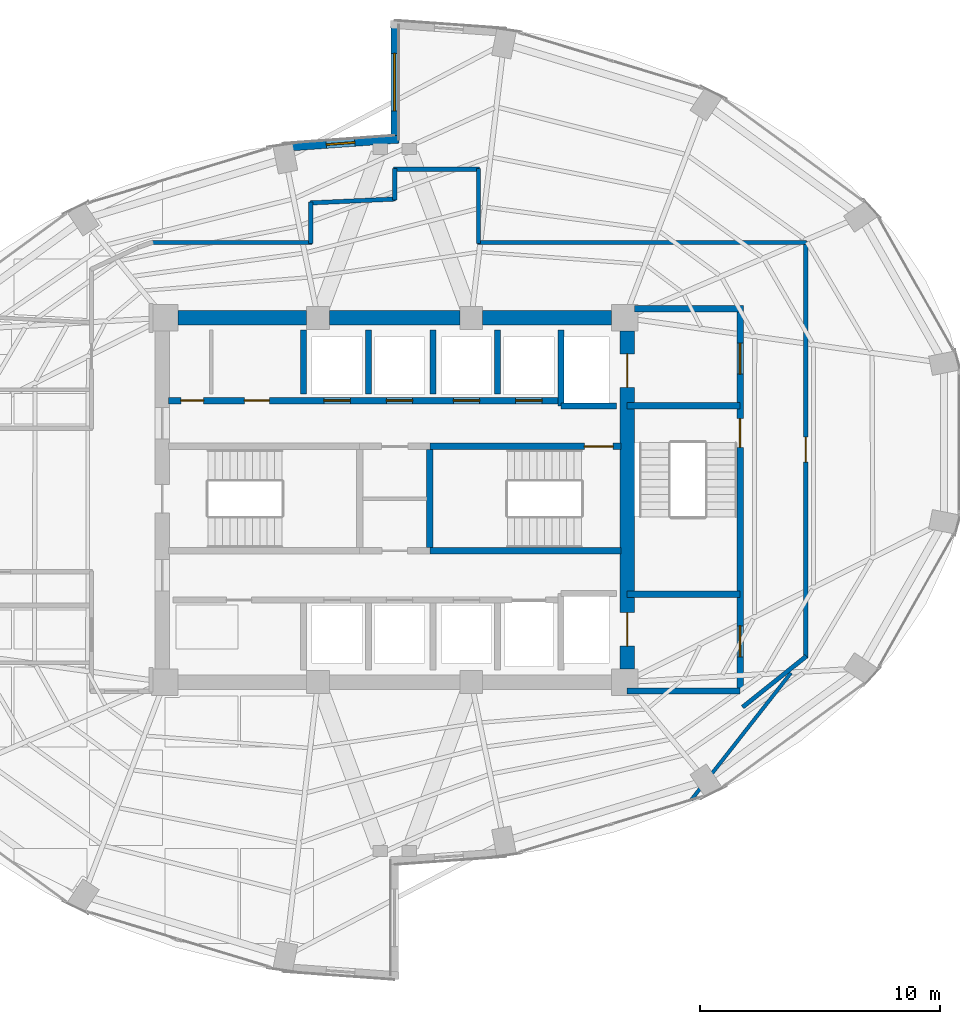
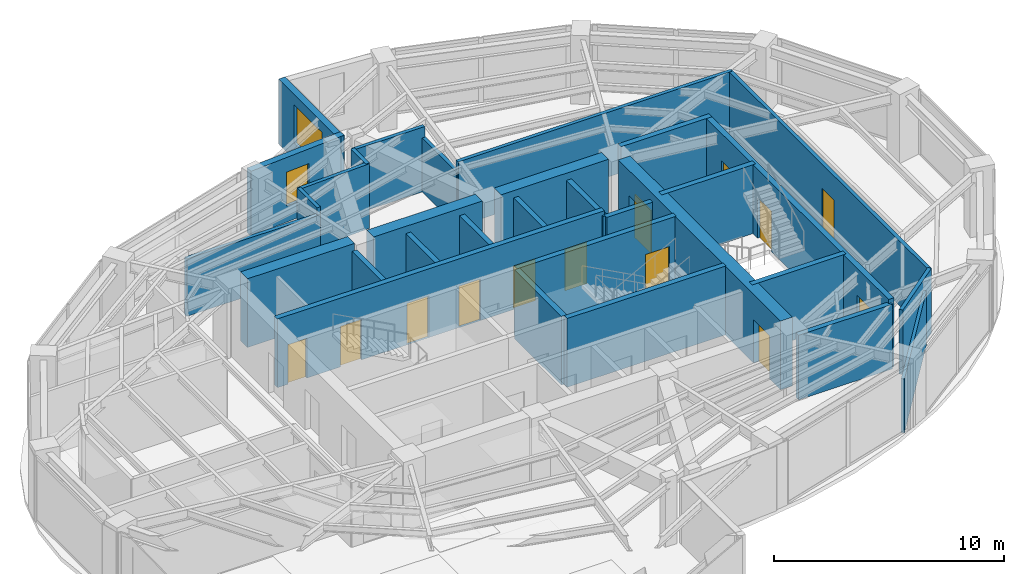
# One storey, part 17 of 20: 31 walls, 13 doors, 2 windows, 15 openings.
"""IFC4 building model written with IfcOpenShell, lengths in metres."""

from ifc_helpers import new_model, si_unit, direction, frame, frame_2d, origin, place, context, subcontext, project, spatial, rectangle, extrude, material, layer, layer_set, type_object, element, fill, save


model = new_model("IFC4")

# Units and contexts
model_context = context("Model", 3, precision=1e-05, world=origin(), true_north=direction((0.0, 1.0)))
body_context = subcontext(model_context, "Body", "Model", "MODEL_VIEW")
ifc_project = project(units=[si_unit("LENGTHUNIT", "METRE"), si_unit("AREAUNIT", "SQUARE_METRE"), si_unit("VOLUMEUNIT", "CUBIC_METRE"), si_unit("PLANEANGLEUNIT", "RADIAN"), si_unit("MASSUNIT", "GRAM", prefix="KILO")], contexts=[model_context])

# Site, building, storey
site_placement = place(None, origin())
site = spatial("IfcSite", under=ifc_project, at=site_placement, CompositionType="ELEMENT")
building_placement = place(site_placement, origin())
building = spatial("IfcBuilding", under=site, at=building_placement, Name="Lazwardi Medical Tower", CompositionType="ELEMENT")
storey_placement = place(building_placement, frame((0.0, 0.0, 178.416015625)))
storey = spatial("IfcBuildingStorey", under=building, at=storey_placement, Name="L46", CompositionType="ELEMENT", Elevation=178.416015625)

# Walls
ifc_material_1 = material(Name="Fire-rated gypsum board on steel stud", Category="steel")
ifc_layer_1 = layer(ifc_material_1, 0.179931640625)
ifc_layer_set_1 = layer_set([ifc_layer_1], Name="Fire-rated gypsum board on steel stud")
wall_type_1 = type_object("IfcWallType", Name="WL-COR-180", PredefinedType="PARTITIONING", material=ifc_layer_set_1)
wall_1_placement = place(storey_placement, frame((25.842529296875, 38.75, 0.0), z_axis=(0.0, 0.0, 1.0), x_axis=(1.0, 0.0, 0.0)))
element("IfcWall", 1, at=wall_1_placement, inside=storey, type_object=wall_type_1, Name="L46 Corridor partition 6", PredefinedType="PARTITIONING", context=body_context, shape_type="SweptSolid", body=[
    extrude(rectangle(XDim=6.697509765625, YDim=0.179931640625, at=frame_2d((3.3486328125, 0.0))), origin(), (0.0, 0.0, 1.0), 3.052978515625),
])
wall_2_placement = place(storey_placement, frame((32.5, 38.7099609375, 0.0), z_axis=(0.0, 0.0, 1.0), x_axis=(0.0, 1.0, 0.0)))
element("IfcWall", 2, at=wall_2_placement, inside=storey, type_object=wall_type_1, Name="L46 Corridor partition 7", PredefinedType="PARTITIONING", context=body_context, shape_type="SweptSolid", body=[
    extrude(rectangle(XDim=1.729248046875, YDim=0.179931640625, at=frame_2d((0.86474609375, 0.0))), origin(), (0.0, 0.0, 1.0), 3.427978515625),
])
wall_3_placement = place(storey_placement, frame((32.4599609375, 40.3974609375, 0.0), z_axis=(0.0, 0.0, 1.0), x_axis=(0.998948498694, 0.045846449783, 0.0)))
element("IfcWall", 3, at=wall_3_placement, inside=storey, type_object=wall_type_1, Name="L46 Corridor partition 8", PredefinedType="PARTITIONING", context=body_context, shape_type="SweptSolid", body=[
    extrude(rectangle(XDim=3.583740234375, YDim=0.179931640625, at=frame_2d((1.7919921875, 0.0))), origin(), (0.0, 0.0, 1.0), 3.427978515625),
])
wall_4_placement = place(storey_placement, frame((36.0, 40.52001953125, 0.0), z_axis=(0.0, 0.0, 1.0), x_axis=(0.0, 1.0, 0.0)))
element("IfcWall", 4, at=wall_4_placement, inside=storey, type_object=wall_type_1, Name="L46 Corridor partition 9", PredefinedType="PARTITIONING", context=body_context, shape_type="SweptSolid", body=[
    extrude(rectangle(XDim=1.320068359375, YDim=0.179931640625, at=frame_2d((0.66015625, 0.0))), origin(), (0.0, 0.0, 1.0), 3.427978515625),
])
wall_5_placement = place(storey_placement, frame((35.9599609375, 41.800048828125, 0.0), z_axis=(0.0, 0.0, 1.0), x_axis=(1.0, 0.0, 0.0)))
element("IfcWall", 5, at=wall_5_placement, inside=storey, type_object=wall_type_1, Name="L46 Corridor partition 10", PredefinedType="PARTITIONING", context=body_context, shape_type="SweptSolid", body=[
    extrude(rectangle(XDim=3.580078125, YDim=0.179931640625, at=frame_2d((1.7900390625, 0.0))), origin(), (0.0, 0.0, 1.0), 3.427978515625),
])
wall_6_placement = place(storey_placement, frame((39.5, 41.840087890625, 0.0), z_axis=(0.0, 0.0, 1.0), x_axis=(0.0, -1.0, 0.0)))
element("IfcWall", 6, at=wall_6_placement, inside=storey, type_object=wall_type_1, Name="L46 Corridor partition 11", PredefinedType="PARTITIONING", context=body_context, shape_type="SweptSolid", body=[
    extrude(rectangle(XDim=3.130126953125, YDim=0.179931640625, at=frame_2d((1.56494140625, 0.0))), origin(), (0.0, 0.0, 1.0), 2.863037109375),
])
wall_7_placement = place(storey_placement, frame((39.4599609375, 38.75, 0.0), z_axis=(0.0, 0.0, 1.0), x_axis=(1.0, 0.0, 0.0)))
element("IfcWall", 7, at=wall_7_placement, inside=storey, type_object=wall_type_1, Name="L46 Corridor partition 12", PredefinedType="PARTITIONING", context=body_context, shape_type="SweptSolid", body=[
    extrude(rectangle(XDim=13.72998046875, YDim=0.179931640625, at=frame_2d((6.864990234375, 0.0))), origin(), (0.0, 0.0, 1.0), 3.427978515625),
])

# Wall, opening, door
wall_8_placement = place(storey_placement, frame((53.14990234375, 38.7900390625, 0.0), z_axis=(0.0, 0.0, 1.0), x_axis=(0.0, -1.0, 0.0)))
wall_8 = element("IfcWall", 8, at=wall_8_placement, inside=storey, type_object=wall_type_1, Name="L46 Corridor partition 13", PredefinedType="PARTITIONING", context=body_context, shape_type="SweptSolid", body=[
    extrude(rectangle(XDim=17.374267578125, YDim=0.179931640625, at=frame_2d((8.68701171875, 0.0))), origin(), (0.0, 0.0, 1.0), 3.427978515625),
])
opening_1_placement = place(wall_8_placement, frame((8.162109375, 0.0, 0.0)))
opening_1 = element("IfcOpeningElement", 9, at=opening_1_placement, cuts=wall_8, Name="Opening D-L46-012", PredefinedType="OPENING", context=body_context, shape_type="SweptSolid", body=[
    extrude(rectangle(XDim=1.050048828125, YDim=2.14990234375, at=frame_2d((0.52490234375, 1.074951171875))), frame((0.0, 0.099853515625, 0.0), z_axis=(0.0, -1.0, 0.0), x_axis=(1.0, 0.0, 0.0)), (0.0, 0.0, 1.0), 0.199951171875),
])
ifc_material_2 = material(Name="Anti-microbial laminate hospital leaf")
door_type_1 = type_object("IfcDoorType", Name="DR-CLN-1050", OperationType="NOTDEFINED", PredefinedType="DOOR", material=ifc_material_2)
door_1_placement = place(opening_1_placement, origin())
door_1 = element("IfcDoor", 10, at=door_1_placement, inside=storey, type_object=door_type_1, Name="L46 Outpatient Consultation Suite Door 03", OperationType="SINGLE_SWING_RIGHT", OverallHeight=2.14990234375, OverallWidth=1.050048828125, PredefinedType="DOOR", context=body_context, shape_type="SweptSolid", body=[
    extrude(rectangle(XDim=1.050048828125, YDim=2.14990234375, at=frame_2d((0.52490234375, 1.074951171875))), frame((0.0, 0.02490234375, 0.0), z_axis=(0.0, -1.0, 0.0), x_axis=(1.0, 0.0, 0.0)), (0.0, 0.0, 1.0), 0.050048828125),
])
fill(opening_1, door_1)

# Wall
wall_9_placement = place(storey_placement, frame((53.181396484375, 21.480712890625, 0.0), z_axis=(0.0, 0.0, 1.0), x_axis=(-0.781420737726, -0.624004511724, 0.0)))
element("IfcWall", 11, at=wall_9_placement, inside=storey, type_object=wall_type_1, Name="L46 Corridor partition 14", PredefinedType="PARTITIONING", context=body_context, shape_type="SweptSolid", body=[
    extrude(rectangle(XDim=3.407470703125, YDim=0.179931640625, at=frame_2d((1.70361328125, 0.0))), origin(), (0.0, 0.0, 1.0), 3.427978515625),
])

# Wall, openings, doors
ifc_material_3 = material(Name="Concrete C60/75", Category="concrete")
ifc_layer_2 = layer(ifc_material_3, 0.60009765625)
ifc_layer_set_2 = layer_set([ifc_layer_2], Name="Concrete C60/75")
wall_type_2 = type_object("IfcWallType", Name="WL-CORE-600", PredefinedType="SHEAR", material=ifc_layer_set_2)
wall_10_placement = place(storey_placement, frame((45.699951171875, 20.949951171875, 0.0), z_axis=(0.0, 0.0, 1.0), x_axis=(0.0, 1.0, 0.0)))
wall_10 = element("IfcWall", 12, at=wall_10_placement, inside=storey, type_object=wall_type_2, Name="Core wall CW-S3 east L46", PredefinedType="SHEAR", context=body_context, shape_type="SweptSolid", body=[
    extrude(rectangle(XDim=14.10009765625, YDim=0.60009765625, at=frame_2d((7.050048828125, 0.0))), origin(), (0.0, 0.0, 1.0), 3.64794921875),
])
opening_2_placement = place(wall_10_placement, frame((11.75, 0.0, 0.0)))
opening_2 = element("IfcOpeningElement", 13, at=opening_2_placement, cuts=wall_10, Name="Opening LD-L46-001", PredefinedType="OPENING", context=body_context, shape_type="SweptSolid", body=[
    extrude(rectangle(XDim=1.39990234375, YDim=2.300048828125, at=frame_2d((0.699951171875, 1.14990234375))), frame((0.0, 0.31005859375, 0.0), z_axis=(0.0, -1.0, 0.0), x_axis=(1.0, 0.0, 0.0)), (0.0, 0.0, 1.0), 0.6201171875),
])
opening_3_placement = place(wall_10_placement, frame((0.949951171875, 0.0, 0.0)))
opening_3 = element("IfcOpeningElement", 14, at=opening_3_placement, cuts=wall_10, Name="Opening LD-L46-002", PredefinedType="OPENING", context=body_context, shape_type="SweptSolid", body=[
    extrude(rectangle(XDim=1.39990234375, YDim=2.300048828125, at=frame_2d((0.699951171875, 1.14990234375))), frame((0.0, 0.31005859375, 0.0), z_axis=(0.0, -1.0, 0.0), x_axis=(1.0, 0.0, 0.0)), (0.0, 0.0, 1.0), 0.6201171875),
])
ifc_material_4 = material(Name="Brushed stainless steel bed-lift landing door", Category="steel")
door_type_2 = type_object("IfcDoorType", Name="DR-LFT-1400", OperationType="NOTDEFINED", PredefinedType="DOOR", material=ifc_material_4)
door_2_placement = place(opening_2_placement, origin())
door_2 = element("IfcDoor", 15, at=door_2_placement, inside=storey, type_object=door_type_2, Name="L46 Lift Landing Door FL-01", OperationType="SLIDING_TO_LEFT", OverallHeight=2.300048828125, OverallWidth=1.39990234375, PredefinedType="DOOR", context=body_context, shape_type="SweptSolid", body=[
    extrude(rectangle(XDim=1.39990234375, YDim=2.300048828125, at=frame_2d((0.699951171875, 1.14990234375))), frame((0.0, 0.02490234375, 0.0), z_axis=(0.0, -1.0, 0.0), x_axis=(1.0, 0.0, 0.0)), (0.0, 0.0, 1.0), 0.050048828125),
])
fill(opening_2, door_2)
door_3_placement = place(opening_3_placement, origin())
door_3 = element("IfcDoor", 16, at=door_3_placement, inside=storey, type_object=door_type_2, Name="L46 Lift Landing Door FL-02", OperationType="SLIDING_TO_LEFT", OverallHeight=2.300048828125, OverallWidth=1.39990234375, PredefinedType="DOOR", context=body_context, shape_type="SweptSolid", body=[
    extrude(rectangle(XDim=1.39990234375, YDim=2.300048828125, at=frame_2d((0.699951171875, 1.14990234375))), frame((0.0, 0.02490234375, 0.0), z_axis=(0.0, -1.0, 0.0), x_axis=(1.0, 0.0, 0.0)), (0.0, 0.0, 1.0), 0.050048828125),
])
fill(opening_3, door_3)

# Walls
wall_11_placement = place(storey_placement, frame((26.949951171875, 35.60009765625, 0.0), z_axis=(0.0, 0.0, 1.0), x_axis=(1.0, 0.0, 0.0)))
element("IfcWall", 17, at=wall_11_placement, inside=storey, type_object=wall_type_2, Name="Core wall CW-S3 N1 L46", PredefinedType="SHEAR", context=body_context, shape_type="SweptSolid", body=[
    extrude(rectangle(XDim=5.375, YDim=0.60009765625, at=frame_2d((2.6875, 0.0))), origin(), (0.0, 0.0, 1.0), 3.64794921875),
])
wall_12_placement = place(storey_placement, frame((33.27490234375, 35.60009765625, 0.0), z_axis=(0.0, 0.0, 1.0), x_axis=(1.0, 0.0, 0.0)))
element("IfcWall", 18, at=wall_12_placement, inside=storey, type_object=wall_type_2, Name="Core wall CW-S3 N2 L46", PredefinedType="SHEAR", context=body_context, shape_type="SweptSolid", body=[
    extrude(rectangle(XDim=5.4501953125, YDim=0.60009765625, at=frame_2d((2.72509765625, 0.0))), origin(), (0.0, 0.0, 1.0), 3.64794921875),
])
wall_13_placement = place(storey_placement, frame((39.675048828125, 35.60009765625, 0.0), z_axis=(0.0, 0.0, 1.0), x_axis=(1.0, 0.0, 0.0)))
element("IfcWall", 19, at=wall_13_placement, inside=storey, type_object=wall_type_2, Name="Core wall CW-S3 N3 L46", PredefinedType="SHEAR", context=body_context, shape_type="SweptSolid", body=[
    extrude(rectangle(XDim=5.375, YDim=0.60009765625, at=frame_2d((2.6875, 0.0))), origin(), (0.0, 0.0, 1.0), 3.64794921875),
])

# Wall, opening, window
ifc_material_5 = material(Name="Precast concrete C45/55", Category="concrete")
ifc_layer_3 = layer(ifc_material_5, 0.320068359375)
ifc_layer_set_3 = layer_set([ifc_layer_3], Name="Precast concrete C45/55")
wall_type_3 = type_object("IfcWallType", Name="WL-IWAN-320", PredefinedType="SOLIDWALL", material=ifc_layer_set_3)
wall_14_placement = place(storey_placement, frame((36.17919921875, 43.052978515625, 0.0), z_axis=(0.0, 0.0, 1.0), x_axis=(-0.997415202861, -0.071853413984, 0.0)))
wall_14 = element("IfcWall", 20, at=wall_14_placement, inside=storey, type_object=wall_type_3, Name="L46 Iwan Portal Return Wall NW_ret", PredefinedType="SOLIDWALL", context=body_context, shape_type="SweptSolid", body=[
    extrude(rectangle(XDim=4.892822265625, YDim=0.320068359375, at=frame_2d((2.4462890625, 0.0))), origin(), (0.0, 0.0, 1.0), 3.427978515625),
])
opening_4_placement = place(wall_14_placement, frame((1.84619140625, 0.0, 0.85009765625)))
opening_4 = element("IfcOpeningElement", 21, at=opening_4_placement, cuts=wall_14, Name="Opening WN-04", PredefinedType="OPENING", context=body_context, shape_type="SweptSolid", body=[
    extrude(rectangle(XDim=1.199951171875, YDim=1.800048828125, at=frame_2d((0.60009765625, 0.89990234375))), frame((0.0, 0.169921875, 0.0), z_axis=(0.0, -1.0, 0.0), x_axis=(1.0, 0.0, 0.0)), (0.0, 0.0, 1.0), 0.340087890625),
])
ifc_material_6 = material(Name="Low-e bronze solar control double glazing", Category="glass")
window_type_1 = type_object("IfcWindowType", Name="WIN-DRUM-1200", PartitioningType="SINGLE_PANEL", PredefinedType="WINDOW", material=ifc_material_6)
window_1_placement = place(opening_4_placement, origin())
window_1 = element("IfcWindow", 22, at=window_1_placement, inside=storey, type_object=window_type_1, Name="L46 Iwan Slot Window NW_ret", OverallHeight=1.800048828125, OverallWidth=1.199951171875, PartitioningType="SINGLE_PANEL", PredefinedType="WINDOW", context=body_context, shape_type="SweptSolid", body=[
    extrude(rectangle(XDim=1.199951171875, YDim=1.800048828125, at=frame_2d((0.60009765625, 0.89990234375))), frame((0.0, 0.030029296875, 0.0), z_axis=(0.0, -1.0, 0.0), x_axis=(1.0, 0.0, 0.0)), (0.0, 0.0, 1.0), 0.06005859375),
])
fill(opening_4, window_1)

wall_15_placement = place(storey_placement, frame((36.0, 48.0, 0.0), z_axis=(0.0, 0.0, 1.0), x_axis=(0.0, -1.0, 0.0)))
wall_15 = element("IfcWall", 23, at=wall_15_placement, inside=storey, type_object=wall_type_3, Name="L46 Turquoise Tilework Iwan Seam Wall N_seam", PredefinedType="SOLIDWALL", context=body_context, shape_type="SweptSolid", body=[
    extrude(rectangle(XDim=5.1201171875, YDim=0.320068359375, at=frame_2d((2.56005859375, 0.0))), origin(), (0.0, 0.0, 1.0), 3.427978515625),
])
opening_5_placement = place(wall_15_placement, frame((1.360107421875, 0.0, 0.840087890625)))
opening_5 = element("IfcOpeningElement", 24, at=opening_5_placement, cuts=wall_15, Name="Opening WN-02", PredefinedType="OPENING", context=body_context, shape_type="SweptSolid", body=[
    extrude(rectangle(XDim=2.39990234375, YDim=2.0400390625, at=frame_2d((1.199951171875, 1.02001953125))), frame((0.0, 0.169921875, 0.0), z_axis=(0.0, -1.0, 0.0), x_axis=(1.0, 0.0, 0.0)), (0.0, 0.0, 1.0), 0.340087890625),
])
window_type_2 = type_object("IfcWindowType", Name="WIN-IW-2400", PartitioningType="SINGLE_PANEL", PredefinedType="WINDOW", material=ifc_material_6)
window_2_placement = place(opening_5_placement, origin())
window_2 = element("IfcWindow", 25, at=window_2_placement, inside=storey, type_object=window_type_2, Name="L46 Iwan Seam Window N_seam", OverallHeight=2.0400390625, OverallWidth=2.39990234375, PartitioningType="SINGLE_PANEL", PredefinedType="WINDOW", context=body_context, shape_type="SweptSolid", body=[
    extrude(rectangle(XDim=2.39990234375, YDim=2.0400390625, at=frame_2d((1.199951171875, 1.02001953125))), frame((0.0, 0.030029296875, 0.0), z_axis=(0.0, -1.0, 0.0), x_axis=(1.0, 0.0, 0.0)), (0.0, 0.0, 1.0), 0.06005859375),
])
fill(opening_5, window_2)

# Walls
ifc_material_7 = material(Name="Autoclaved aerated concrete blockwork", Category="masonry")
ifc_layer_4 = layer(ifc_material_7, 0.25)
ifc_layer_set_4 = layer_set([ifc_layer_4], Name="Autoclaved aerated concrete blockwork")
wall_type_4 = type_object("IfcWallType", Name="WL-SHAFT-250", PredefinedType="SOLIDWALL", material=ifc_layer_set_4)
wall_16_placement = place(storey_placement, frame((42.949951171875, 31.919921875, 0.0), z_axis=(0.0, 0.0, 1.0), x_axis=(0.0, 1.0, 0.0)))
element("IfcWall", 26, at=wall_16_placement, inside=storey, type_object=wall_type_4, Name="L46 FL-01 West shaft wall", PredefinedType="SOLIDWALL", context=body_context, shape_type="SweptSolid", body=[
    extrude(rectangle(XDim=3.18017578125, YDim=0.25, at=frame_2d((1.590087890625, 0.0))), origin(), (0.0, 0.0, 1.0), 3.427978515625),
])
wall_17_placement = place(storey_placement, frame((42.949951171875, 31.919921875, 0.0), z_axis=(0.0, 0.0, 1.0), x_axis=(1.0, 0.0, 0.0)))
element("IfcWall", 27, at=wall_17_placement, inside=storey, type_object=wall_type_4, Name="L46 FL-01 South shaft wall", PredefinedType="SOLIDWALL", context=body_context, shape_type="SweptSolid", body=[
    extrude(rectangle(XDim=2.300048828125, YDim=0.25, at=frame_2d((1.14990234375, 0.0))), origin(), (0.0, 0.0, 1.0), 3.427978515625),
])
for number, where, z_axis, x_axis, name in (
    (28, (32.199951171875, 32.419921875, 0.0), (0.0, 0.0, 1.0), (0.0, 1.0, 0.0), "L46 North hoistway divider"),
    (29, (34.89990234375, 32.419921875, 0.0), (0.0, 0.0, 1.0), (0.0, 1.0, 0.0), "L46 North hoistway divider"),
    (30, (37.60009765625, 32.419921875, 0.0), (0.0, 0.0, 1.0), (0.0, 1.0, 0.0), "L46 North hoistway divider"),
    (31, (40.300048828125, 32.419921875, 0.0), (0.0, 0.0, 1.0), (0.0, 1.0, 0.0), "L46 North hoistway divider"),
):
    element("IfcWall", number, at=place(storey_placement, frame(where, z_axis=z_axis, x_axis=x_axis)), inside=storey, type_object=wall_type_4, Name=name, PredefinedType="SOLIDWALL", context=body_context, shape_type="SweptSolid", body=[
        extrude(rectangle(XDim=2.68017578125, YDim=0.25, at=frame_2d((1.340087890625, 0.0))), origin(), (0.0, 0.0, 1.0), 3.427978515625),
    ])
wall_18_placement = place(storey_placement, frame((45.699951171875, 20.02001953125, 0.0), z_axis=(0.0, 0.0, 1.0), x_axis=(1.0, 0.0, 0.0)))
element("IfcWall", 32, at=wall_18_placement, inside=storey, type_object=wall_type_4, Name="L46 FFL-S South wall", PredefinedType="SOLIDWALL", context=body_context, shape_type="SweptSolid", body=[
    extrude(rectangle(XDim=4.715087890625, YDim=0.25, at=frame_2d((2.357421875, 0.0))), origin(), (0.0, 0.0, 1.0), 3.427978515625),
])

# Wall, opening, door
ifc_material_8 = material(Name="Concrete C50/60", Category="concrete")
ifc_layer_5 = layer(ifc_material_8, 0.27001953125)
ifc_layer_set_5 = layer_set([ifc_layer_5], Name="Concrete C50/60")
wall_type_5 = type_object("IfcWallType", Name="WL-STR-250", PredefinedType="SHEAR", material=ifc_layer_set_5)
wall_19_placement = place(storey_placement, frame((37.465087890625, 30.235107421875, 0.0), z_axis=(0.0, 0.0, 1.0), x_axis=(1.0, 0.0, 0.0)))
wall_19 = element("IfcWall", 33, at=wall_19_placement, inside=storey, type_object=wall_type_5, Name="L46 ST2 North shear shaft wall SW-S1", PredefinedType="SHEAR", context=body_context, shape_type="SweptSolid", body=[
    extrude(rectangle(XDim=7.98486328125, YDim=0.27001953125, at=frame_2d((3.992431640625, 0.0))), origin(), (0.0, 0.0, 1.0), 3.64794921875),
])
opening_6_placement = place(wall_19_placement, frame((6.455078125, 0.0, 0.0)))
opening_6 = element("IfcOpeningElement", 34, at=opening_6_placement, cuts=wall_19, Name="Opening D-L46-016", PredefinedType="OPENING", context=body_context, shape_type="SweptSolid", body=[
    extrude(rectangle(XDim=1.199951171875, YDim=2.14990234375, at=frame_2d((0.60009765625, 1.074951171875))), frame((0.0, 0.14501953125, 0.0), z_axis=(0.0, -1.0, 0.0), x_axis=(1.0, 0.0, 0.0)), (0.0, 0.0, 1.0), 0.2900390625),
])
ifc_material_9 = material(Name="Fire-rated steel leaf and frame", Category="steel")
door_type_3 = type_object("IfcDoorType", Name="DR-STR-1200", OperationType="NOTDEFINED", PredefinedType="DOOR", material=ifc_material_9)
door_4_placement = place(opening_6_placement, origin())
door_4 = element("IfcDoor", 35, at=door_4_placement, inside=storey, type_object=door_type_3, Name="L46 Exit Stair ST2 Door", OperationType="SINGLE_SWING_LEFT", OverallHeight=2.14990234375, OverallWidth=1.199951171875, PredefinedType="DOOR", context=body_context, shape_type="SweptSolid", body=[
    extrude(rectangle(XDim=1.199951171875, YDim=2.14990234375, at=frame_2d((0.60009765625, 1.074951171875))), frame((0.0, 0.02490234375, 0.0), z_axis=(0.0, -1.0, 0.0), x_axis=(1.0, 0.0, 0.0)), (0.0, 0.0, 1.0), 0.050048828125),
])
fill(opening_6, door_4)

# Walls
wall_20_placement = place(storey_placement, frame((37.465087890625, 25.885009765625, 0.0), z_axis=(0.0, 0.0, 1.0), x_axis=(1.0, 0.0, 0.0)))
element("IfcWall", 36, at=wall_20_placement, inside=storey, type_object=wall_type_5, Name="L46 ST2 South shear shaft wall SW-S1", PredefinedType="SHEAR", context=body_context, shape_type="SweptSolid", body=[
    extrude(rectangle(XDim=7.98486328125, YDim=0.27001953125, at=frame_2d((3.992431640625, 0.0))), origin(), (0.0, 0.0, 1.0), 3.64794921875),
])
wall_21_placement = place(storey_placement, frame((37.465087890625, 26.02001953125, 0.0), z_axis=(0.0, 0.0, 1.0), x_axis=(0.0, 1.0, 0.0)))
element("IfcWall", 37, at=wall_21_placement, inside=storey, type_object=wall_type_5, Name="L46 ST2 West shear shaft wall SW-S1", PredefinedType="SHEAR", context=body_context, shape_type="SweptSolid", body=[
    extrude(rectangle(XDim=4.080078125, YDim=0.27001953125, at=frame_2d((2.0400390625, 0.0))), origin(), (0.0, 0.0, 1.0), 3.64794921875),
])

# Wall, openings, doors
wall_22_placement = place(storey_placement, frame((26.550048828125, 32.14990234375, 0.0), z_axis=(0.0, 0.0, 1.0), x_axis=(1.0, 0.0, 0.0)))
wall_22 = element("IfcWall", 38, at=wall_22_placement, inside=storey, type_object=wall_type_5, Name="L46 North lift bank shear wall SW-S1", PredefinedType="SHEAR", context=body_context, shape_type="SweptSolid", body=[
    extrude(rectangle(XDim=16.39990234375, YDim=0.27001953125, at=frame_2d((8.199951171875, 0.0))), origin(), (0.0, 0.0, 1.0), 3.64794921875),
])
opening_7_placement = place(wall_22_placement, frame((0.52490234375, 0.0, 0.0)))
opening_7 = element("IfcOpeningElement", 39, at=opening_7_placement, cuts=wall_22, Name="Opening D-L46-003", PredefinedType="OPENING", context=body_context, shape_type="SweptSolid", body=[
    extrude(rectangle(XDim=0.949951171875, YDim=2.10009765625, at=frame_2d((0.47509765625, 1.050048828125))), frame((0.0, 0.14501953125, 0.0), z_axis=(0.0, -1.0, 0.0), x_axis=(1.0, 0.0, 0.0)), (0.0, 0.0, 1.0), 0.2900390625),
])
opening_8_placement = place(wall_22_placement, frame((3.175048828125, 0.0, 0.0)))
opening_8 = element("IfcOpeningElement", 40, at=opening_8_placement, cuts=wall_22, Name="Opening D-L46-004", PredefinedType="OPENING", context=body_context, shape_type="SweptSolid", body=[
    extrude(rectangle(XDim=1.050048828125, YDim=2.14990234375, at=frame_2d((0.52490234375, 1.074951171875))), frame((0.0, 0.14501953125, 0.0), z_axis=(0.0, -1.0, 0.0), x_axis=(1.0, 0.0, 0.0)), (0.0, 0.0, 1.0), 0.2900390625),
])
opening_9_placement = place(wall_22_placement, frame((6.5, 0.0, 0.0)))
opening_9 = element("IfcOpeningElement", 41, at=opening_9_placement, cuts=wall_22, Name="Opening LD-L46-004", PredefinedType="OPENING", context=body_context, shape_type="SweptSolid", body=[
    extrude(rectangle(XDim=1.10009765625, YDim=2.199951171875, at=frame_2d((0.550048828125, 1.10009765625))), frame((0.0, 0.14501953125, 0.0), z_axis=(0.0, -1.0, 0.0), x_axis=(1.0, 0.0, 0.0)), (0.0, 0.0, 1.0), 0.2900390625),
])
opening_10_placement = place(wall_22_placement, frame((9.10009765625, 0.0, 0.0)))
opening_10 = element("IfcOpeningElement", 42, at=opening_10_placement, cuts=wall_22, Name="Opening LD-L46-005", PredefinedType="OPENING", context=body_context, shape_type="SweptSolid", body=[
    extrude(rectangle(XDim=1.10009765625, YDim=2.199951171875, at=frame_2d((0.550048828125, 1.10009765625))), frame((0.0, 0.14501953125, 0.0), z_axis=(0.0, -1.0, 0.0), x_axis=(1.0, 0.0, 0.0)), (0.0, 0.0, 1.0), 0.2900390625),
])
opening_11_placement = place(wall_22_placement, frame((11.89990234375, 0.0, 0.0)))
opening_11 = element("IfcOpeningElement", 43, at=opening_11_placement, cuts=wall_22, Name="Opening LD-L46-008", PredefinedType="OPENING", context=body_context, shape_type="SweptSolid", body=[
    extrude(rectangle(XDim=1.10009765625, YDim=2.199951171875, at=frame_2d((0.550048828125, 1.10009765625))), frame((0.0, 0.14501953125, 0.0), z_axis=(0.0, -1.0, 0.0), x_axis=(1.0, 0.0, 0.0)), (0.0, 0.0, 1.0), 0.2900390625),
])
opening_12_placement = place(wall_22_placement, frame((14.5, 0.0, 0.0)))
opening_12 = element("IfcOpeningElement", 44, at=opening_12_placement, cuts=wall_22, Name="Opening LD-L46-009", PredefinedType="OPENING", context=body_context, shape_type="SweptSolid", body=[
    extrude(rectangle(XDim=1.10009765625, YDim=2.199951171875, at=frame_2d((0.550048828125, 1.10009765625))), frame((0.0, 0.14501953125, 0.0), z_axis=(0.0, -1.0, 0.0), x_axis=(1.0, 0.0, 0.0)), (0.0, 0.0, 1.0), 0.2900390625),
])
door_5_placement = place(opening_8_placement, origin())
door_5 = element("IfcDoor", 45, at=door_5_placement, inside=storey, type_object=door_type_1, Name="L46 Telemedicine Door", OperationType="SINGLE_SWING_LEFT", OverallHeight=2.14990234375, OverallWidth=1.050048828125, PredefinedType="DOOR", context=body_context, shape_type="SweptSolid", body=[
    extrude(rectangle(XDim=1.050048828125, YDim=2.14990234375, at=frame_2d((0.52490234375, 1.074951171875))), frame((0.0, 0.02490234375, 0.0), z_axis=(0.0, -1.0, 0.0), x_axis=(1.0, 0.0, 0.0)), (0.0, 0.0, 1.0), 0.050048828125),
])
fill(opening_8, door_5)
ifc_material_10 = material(Name="Moisture-resistant laminate door leaf")
door_type_4 = type_object("IfcDoorType", Name="DR-ENS-950", OperationType="NOTDEFINED", PredefinedType="DOOR", material=ifc_material_10)
door_6_placement = place(opening_7_placement, origin())
door_6 = element("IfcDoor", 46, at=door_6_placement, inside=storey, type_object=door_type_4, Name="L46 Core Staff WC Door", OperationType="SINGLE_SWING_RIGHT", OverallHeight=2.10009765625, OverallWidth=0.949951171875, PredefinedType="DOOR", context=body_context, shape_type="SweptSolid", body=[
    extrude(rectangle(XDim=0.949951171875, YDim=2.10009765625, at=frame_2d((0.47509765625, 1.050048828125))), frame((0.0, 0.02490234375, 0.0), z_axis=(0.0, -1.0, 0.0), x_axis=(1.0, 0.0, 0.0)), (0.0, 0.0, 1.0), 0.050048828125),
])
fill(opening_7, door_6)
ifc_material_11 = material(Name="Brushed bronze stainless steel landing door", Category="steel")
door_type_5 = type_object("IfcDoorType", Name="DR-LFT-1100", OperationType="NOTDEFINED", PredefinedType="DOOR", material=ifc_material_11)
door_7_placement = place(opening_9_placement, origin())
door_7 = element("IfcDoor", 47, at=door_7_placement, inside=storey, type_object=door_type_5, Name="L46 Lift Landing Door PL-05", OperationType="SLIDING_TO_LEFT", OverallHeight=2.199951171875, OverallWidth=1.10009765625, PredefinedType="DOOR", context=body_context, shape_type="SweptSolid", body=[
    extrude(rectangle(XDim=1.10009765625, YDim=2.199951171875, at=frame_2d((0.550048828125, 1.10009765625))), frame((0.0, 0.02490234375, 0.0), z_axis=(0.0, -1.0, 0.0), x_axis=(1.0, 0.0, 0.0)), (0.0, 0.0, 1.0), 0.050048828125),
])
fill(opening_9, door_7)
door_8_placement = place(opening_10_placement, origin())
door_8 = element("IfcDoor", 48, at=door_8_placement, inside=storey, type_object=door_type_5, Name="L46 Lift Landing Door PL-06", OperationType="SLIDING_TO_LEFT", OverallHeight=2.199951171875, OverallWidth=1.10009765625, PredefinedType="DOOR", context=body_context, shape_type="SweptSolid", body=[
    extrude(rectangle(XDim=1.10009765625, YDim=2.199951171875, at=frame_2d((0.550048828125, 1.10009765625))), frame((0.0, 0.02490234375, 0.0), z_axis=(0.0, -1.0, 0.0), x_axis=(1.0, 0.0, 0.0)), (0.0, 0.0, 1.0), 0.050048828125),
])
fill(opening_10, door_8)
door_9_placement = place(opening_11_placement, origin())
door_9 = element("IfcDoor", 49, at=door_9_placement, inside=storey, type_object=door_type_5, Name="L46 Lift Landing Door PL-09", OperationType="SLIDING_TO_LEFT", OverallHeight=2.199951171875, OverallWidth=1.10009765625, PredefinedType="DOOR", context=body_context, shape_type="SweptSolid", body=[
    extrude(rectangle(XDim=1.10009765625, YDim=2.199951171875, at=frame_2d((0.550048828125, 1.10009765625))), frame((0.0, 0.02490234375, 0.0), z_axis=(0.0, -1.0, 0.0), x_axis=(1.0, 0.0, 0.0)), (0.0, 0.0, 1.0), 0.050048828125),
])
fill(opening_11, door_9)
door_10_placement = place(opening_12_placement, origin())
door_10 = element("IfcDoor", 50, at=door_10_placement, inside=storey, type_object=door_type_5, Name="L46 Lift Landing Door PL-10", OperationType="SLIDING_TO_LEFT", OverallHeight=2.199951171875, OverallWidth=1.10009765625, PredefinedType="DOOR", context=body_context, shape_type="SweptSolid", body=[
    extrude(rectangle(XDim=1.10009765625, YDim=2.199951171875, at=frame_2d((0.550048828125, 1.10009765625))), frame((0.0, 0.02490234375, 0.0), z_axis=(0.0, -1.0, 0.0), x_axis=(1.0, 0.0, 0.0)), (0.0, 0.0, 1.0), 0.050048828125),
])
fill(opening_12, door_10)

wall_23_placement = place(storey_placement, frame((50.4150390625, 35.844970703125, 0.0), z_axis=(0.0, 0.0, 1.0), x_axis=(0.0, -1.0, 0.0)))
wall_23 = element("IfcWall", 51, at=wall_23_placement, inside=storey, type_object=wall_type_5, Name="L46 East ST3 & FFL shear wall SW-S1", PredefinedType="SHEAR", context=body_context, shape_type="SweptSolid", body=[
    extrude(rectangle(XDim=15.824951171875, YDim=0.27001953125, at=frame_2d((7.91259765625, 0.0))), origin(), (0.0, 0.0, 1.0), 3.64794921875),
])
opening_13_placement = place(wall_23_placement, frame((4.445068359375, 0.0, 0.0)))
opening_13 = element("IfcOpeningElement", 52, at=opening_13_placement, cuts=wall_23, Name="Opening D-L46-017", PredefinedType="OPENING", context=body_context, shape_type="SweptSolid", body=[
    extrude(rectangle(XDim=1.199951171875, YDim=2.14990234375, at=frame_2d((0.60009765625, 1.074951171875))), frame((0.0, 0.14501953125, 0.0), z_axis=(0.0, -1.0, 0.0), x_axis=(1.0, 0.0, 0.0)), (0.0, 0.0, 1.0), 0.2900390625),
])
opening_14_placement = place(wall_23_placement, frame((1.294921875, 0.0, 0.0)))
opening_14 = element("IfcOpeningElement", 53, at=opening_14_placement, cuts=wall_23, Name="Opening D-L46-006", PredefinedType="OPENING", context=body_context, shape_type="SweptSolid", body=[
    extrude(rectangle(XDim=1.300048828125, YDim=2.199951171875, at=frame_2d((0.64990234375, 1.10009765625))), frame((0.0, 0.14501953125, 0.0), z_axis=(0.0, -1.0, 0.0), x_axis=(1.0, 0.0, 0.0)), (0.0, 0.0, 1.0), 0.2900390625),
])
opening_15_placement = place(wall_23_placement, frame((13.094970703125, 0.0, 0.0)))
opening_15 = element("IfcOpeningElement", 54, at=opening_15_placement, cuts=wall_23, Name="Opening D-L46-007", PredefinedType="OPENING", context=body_context, shape_type="SweptSolid", body=[
    extrude(rectangle(XDim=1.300048828125, YDim=2.199951171875, at=frame_2d((0.64990234375, 1.10009765625))), frame((0.0, 0.14501953125, 0.0), z_axis=(0.0, -1.0, 0.0), x_axis=(1.0, 0.0, 0.0)), (0.0, 0.0, 1.0), 0.2900390625),
])
door_type_6 = type_object("IfcDoorType", Name="DR-FFL-1300", OperationType="NOTDEFINED", PredefinedType="DOOR", material=ifc_material_9)
door_11_placement = place(opening_14_placement, origin())
door_11 = element("IfcDoor", 55, at=door_11_placement, inside=storey, type_object=door_type_6, Name="L46 Fire-Fighting Lobby North Door", OperationType="SINGLE_SWING_RIGHT", OverallHeight=2.199951171875, OverallWidth=1.300048828125, PredefinedType="DOOR", context=body_context, shape_type="SweptSolid", body=[
    extrude(rectangle(XDim=1.300048828125, YDim=2.199951171875, at=frame_2d((0.64990234375, 1.10009765625))), frame((0.0, 0.02490234375, 0.0), z_axis=(0.0, -1.0, 0.0), x_axis=(1.0, 0.0, 0.0)), (0.0, 0.0, 1.0), 0.050048828125),
])
fill(opening_14, door_11)
door_12_placement = place(opening_15_placement, origin())
door_12 = element("IfcDoor", 56, at=door_12_placement, inside=storey, type_object=door_type_6, Name="L46 Fire-Fighting Lobby South Door", OperationType="SINGLE_SWING_LEFT", OverallHeight=2.199951171875, OverallWidth=1.300048828125, PredefinedType="DOOR", context=body_context, shape_type="SweptSolid", body=[
    extrude(rectangle(XDim=1.300048828125, YDim=2.199951171875, at=frame_2d((0.64990234375, 1.10009765625))), frame((0.0, 0.02490234375, 0.0), z_axis=(0.0, -1.0, 0.0), x_axis=(1.0, 0.0, 0.0)), (0.0, 0.0, 1.0), 0.050048828125),
])
fill(opening_15, door_12)
door_13_placement = place(opening_13_placement, origin())
door_13 = element("IfcDoor", 57, at=door_13_placement, inside=storey, type_object=door_type_3, Name="L46 Exit Stair ST3 Door", OperationType="SINGLE_SWING_LEFT", OverallHeight=2.14990234375, OverallWidth=1.199951171875, PredefinedType="DOOR", context=body_context, shape_type="SweptSolid", body=[
    extrude(rectangle(XDim=1.199951171875, YDim=2.14990234375, at=frame_2d((0.60009765625, 1.074951171875))), frame((0.0, 0.02490234375, 0.0), z_axis=(0.0, -1.0, 0.0), x_axis=(1.0, 0.0, 0.0)), (0.0, 0.0, 1.0), 0.050048828125),
])
fill(opening_13, door_13)

# Walls
wall_24_placement = place(storey_placement, frame((46.0, 35.97998046875, 0.0), z_axis=(0.0, 0.0, 1.0), x_axis=(1.0, 0.0, 0.0)))
element("IfcWall", 58, at=wall_24_placement, inside=storey, type_object=wall_type_5, Name="L46 FFL-N North shear wall SW-S1", PredefinedType="SHEAR", context=body_context, shape_type="SweptSolid", body=[
    extrude(rectangle(XDim=4.550048828125, YDim=0.27001953125, at=frame_2d((2.27490234375, 0.0))), origin(), (0.0, 0.0, 1.0), 3.64794921875),
])
for number, where, z_axis, x_axis, name in (
    (59, (45.699951171875, 31.93505859375, 0.0), (0.0, 0.0, 1.0), (1.0, 0.0, 0.0), "L46 ST3 North shear shaft wall SW-S1"),
    (60, (45.699951171875, 24.06494140625, 0.0), (0.0, 0.0, 1.0), (1.0, 0.0, 0.0), "L46 ST3 South shear shaft wall SW-S1"),
):
    element("IfcWall", number, at=place(storey_placement, frame(where, z_axis=z_axis, x_axis=x_axis)), inside=storey, type_object=wall_type_5, Name=name, PredefinedType="SHEAR", context=body_context, shape_type="SweptSolid", body=[
        extrude(rectangle(XDim=4.715087890625, YDim=0.27001953125, at=frame_2d((2.357421875, 0.0))), origin(), (0.0, 0.0, 1.0), 3.64794921875),
    ])
ifc_material_12 = material(Name="Acoustic gypsum board partition")
ifc_layer_6 = layer(ifc_material_12, 0.14990234375)
ifc_layer_set_6 = layer_set([ifc_layer_6], Name="Acoustic gypsum board partition")
wall_type_6 = type_object("IfcWallType", Name="WL-WRD-150", PredefinedType="PARTITIONING", material=ifc_layer_set_6)
wall_25_placement = place(storey_placement, frame((52.537109375, 20.782958984375, 0.0), z_axis=(0.0, 0.0, 1.0), x_axis=(-0.617570357244, -0.786515641201, 0.0)))
element("IfcWall", 61, at=wall_25_placement, inside=storey, type_object=wall_type_6, Name="L46 Room partition 5", PredefinedType="PARTITIONING", context=body_context, shape_type="SweptSolid", body=[
    extrude(rectangle(XDim=6.739990234375, YDim=0.14990234375, at=frame_2d((3.3701171875, 0.0))), origin(), (0.0, 0.0, 1.0), 2.863037109375),
])

save(model, "model.ifc")
